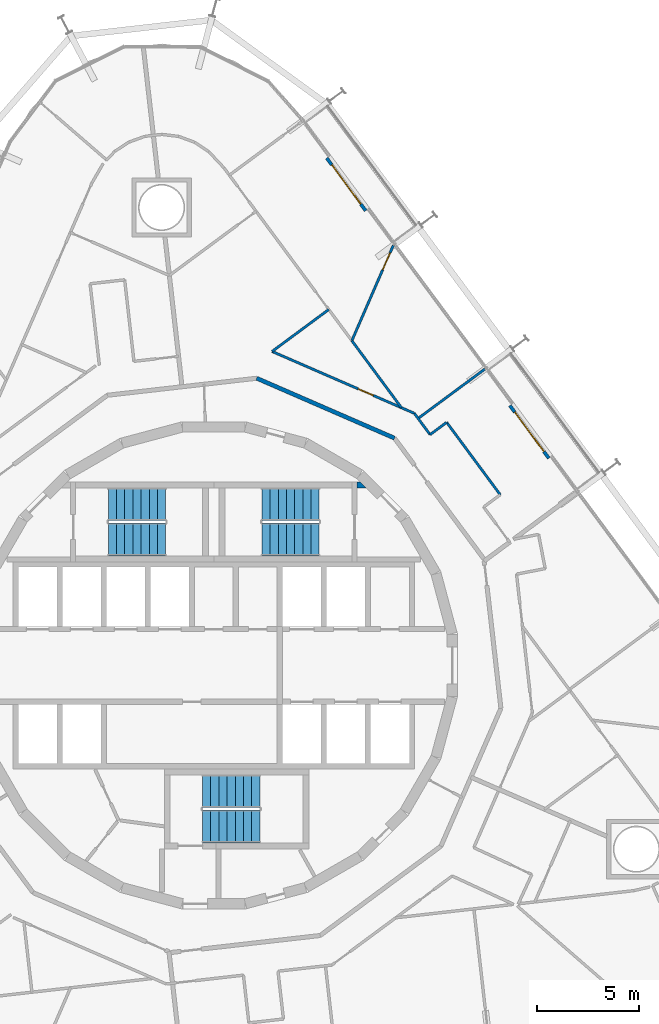
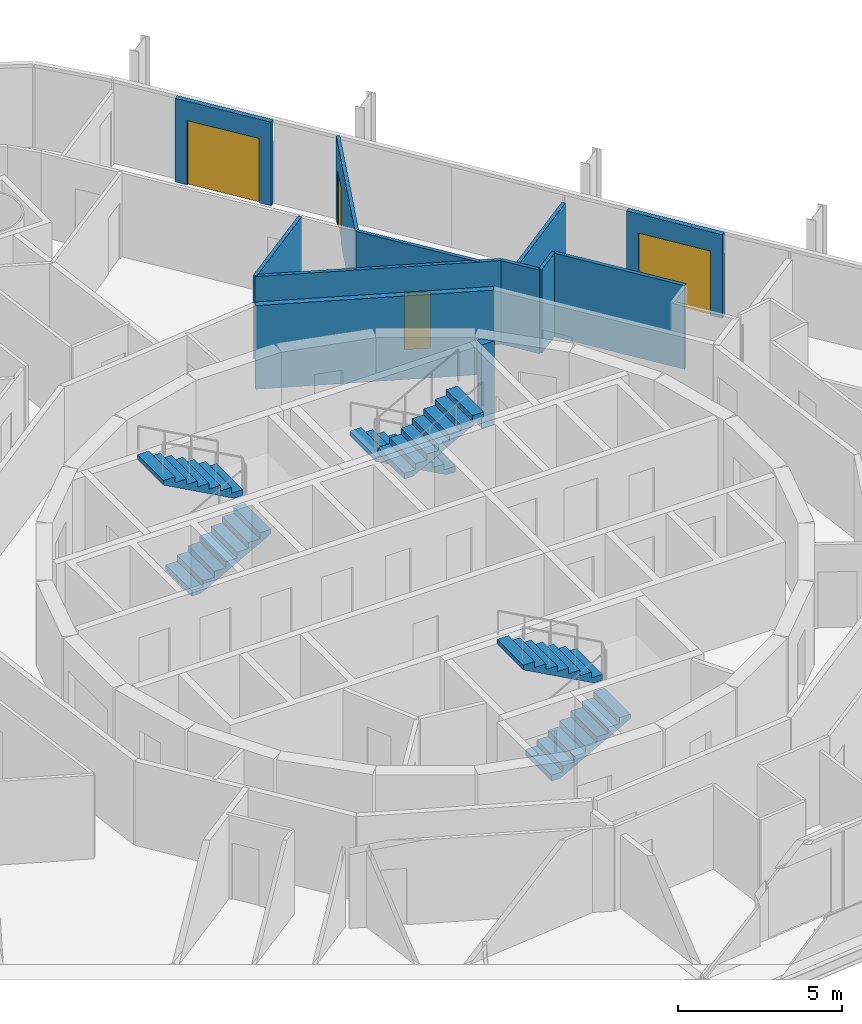
# One storey, part 22 of 24: 12 walls, 6 stair flights, 4 doors, 4 openings, 3 elements without a shape of their own.
"""IFC4 building model written with IfcOpenShell, lengths in metres."""

from ifc_helpers import new_model, si_unit, direction, frame, frame_2d, origin, place, context, subcontext, project, spatial, polyline, rectangle, outline, extrude, material, layer, layer_set, type_object, element, fill, aggregate, save


model = new_model("IFC4")

# Units and contexts
model_context = context("Model", 3, precision=1e-05, world=origin(), true_north=direction((0.0, 1.0)))
body_context = subcontext(model_context, "Body", "Model", "MODEL_VIEW")
ifc_project = project(units=[si_unit("LENGTHUNIT", "METRE"), si_unit("AREAUNIT", "SQUARE_METRE"), si_unit("VOLUMEUNIT", "CUBIC_METRE"), si_unit("PLANEANGLEUNIT", "RADIAN"), si_unit("MASSUNIT", "GRAM", prefix="KILO")], contexts=[model_context])

# Site, building, storey
site_placement = place(None, origin())
site = spatial("IfcSite", under=ifc_project, at=site_placement, CompositionType="ELEMENT")
building_placement = place(site_placement, origin())
building = spatial("IfcBuilding", under=site, at=building_placement, Name="Spindle Arch Residences", CompositionType="ELEMENT")
storey_placement = place(building_placement, frame((0.0, 0.0, 94.199951171875)))
storey = spatial("IfcBuildingStorey", under=building, at=storey_placement, Name="L22", CompositionType="ELEMENT", Elevation=94.199951171875)

# Walls
ifc_material_1 = material(Name="Calcium silicate block, plastered")
ifc_layer_1 = layer(ifc_material_1, 0.199951171875)
ifc_layer_set_1 = layer_set([ifc_layer_1], Name="Corridor wall 200")
wall_type_1 = type_object("IfcWallType", Name="Corridor wall 200", PredefinedType="STANDARD", material=ifc_layer_set_1)
wall_1_placement = place(storey_placement, frame((8.829345703125, 11.10009765625, 0.0), z_axis=(0.0, 0.0, 1.0), x_axis=(-0.917063183388, 0.398741918631, 0.0)))
element("IfcWall", 1, at=wall_1_placement, inside=storey, type_object=wall_type_1, Name="Corridor wall R2B1-W005", PredefinedType="STANDARD", context=body_context, shape_type="SweptSolid", body=[
    extrude(rectangle(XDim=7.341796875, YDim=0.199951171875, at=frame_2d((3.6708984375, 0.0))), origin(), (0.0, 0.0, 1.0), 3.1201171875),
])
ifc_material_2 = material(Name="Plasterboard on steel studs", Category="steel")
ifc_layer_2 = layer(ifc_material_2, 0.1201171875)
ifc_layer_set_2 = layer_set([ifc_layer_2], Name="Flat partition 120")
wall_type_2 = type_object("IfcWallType", Name="Flat partition 120", PredefinedType="PARTITIONING", material=ifc_layer_set_2)
wall_2_placement = place(storey_placement, frame((13.9951171875, 8.335693359375, 0.0), z_axis=(0.0, 0.0, 1.0), x_axis=(-0.59480284986, 0.803871612758, 0.0)))
element("IfcWall", 2, at=wall_2_placement, inside=storey, type_object=wall_type_2, Name="Flat partition R2B1-W030", PredefinedType="PARTITIONING", context=body_context, shape_type="SweptSolid", body=[
    extrude(rectangle(XDim=4.400146484375, YDim=0.1201171875, at=frame_2d((2.2001953125, 0.0))), origin(), (0.0, 0.0, 1.0), 3.1201171875),
])
wall_3_placement = place(storey_placement, frame((11.3779296875, 11.872802734375, 0.0), z_axis=(0.0, 0.0, 1.0), x_axis=(-0.803818744753, -0.594874293934, 0.0)))
element("IfcWall", 3, at=wall_3_placement, inside=storey, type_object=wall_type_2, Name="Flat partition R2B1-W031", PredefinedType="PARTITIONING", context=body_context, shape_type="SweptSolid", body=[
    extrude(rectangle(XDim=1.00830078125, YDim=0.1201171875, at=frame_2d((0.504150390625, 0.0))), origin(), (0.0, 0.0, 1.0), 3.1201171875),
])
wall_4_placement = place(storey_placement, frame((10.5673828125, 11.27294921875, 0.0), z_axis=(0.0, 0.0, 1.0), x_axis=(-0.594957357743, 0.803757265888, 0.0)))
element("IfcWall", 4, at=wall_4_placement, inside=storey, type_object=wall_type_2, Name="Flat partition R2B1-W032", PredefinedType="PARTITIONING", context=body_context, shape_type="SweptSolid", body=[
    extrude(rectangle(XDim=1.296630859375, YDim=0.1201171875, at=frame_2d((0.6484375, 0.0))), origin(), (0.0, 0.0, 1.0), 3.1201171875),
])

# Wall, opening, door
wall_5_placement = place(storey_placement, frame((9.7958984375, 12.315185546875, 0.0), z_axis=(0.0, 0.0, 1.0), x_axis=(-0.917053660722, 0.398763819017, 0.0)))
wall_5 = element("IfcWall", 5, at=wall_5_placement, inside=storey, type_object=wall_type_2, Name="Flat partition R2B1-W033", PredefinedType="PARTITIONING", context=body_context, shape_type="SweptSolid", body=[
    extrude(rectangle(XDim=7.575927734375, YDim=0.1201171875, at=frame_2d((3.7880859375, 0.0))), origin(), (0.0, 0.0, 1.0), 3.1201171875),
])
opening_1_placement = place(wall_5_placement, frame((2.184814453125, 0.0, 0.0)))
opening_1 = element("IfcOpeningElement", 6, at=opening_1_placement, cuts=wall_5, Name="Opening R2B1-BD01", PredefinedType="OPENING", context=body_context, shape_type="SweptSolid", body=[
    extrude(rectangle(XDim=0.800048828125, YDim=2.10009765625, at=frame_2d((0.39990234375, 1.050048828125))), frame((0.0, 0.070068359375, 0.0), z_axis=(0.0, -1.0, 0.0), x_axis=(1.0, 0.0, 0.0)), (0.0, 0.0, 1.0), 0.14013671875),
])
ifc_material_3 = material(Name="Timber door set", Category="wood")
door_type_1 = type_object("IfcDoorType", Name="Bathroom door 800x2100", OperationType="NOTDEFINED", PredefinedType="DOOR", material=ifc_material_3)
door_1_placement = place(opening_1_placement, origin())
door_1 = element("IfcDoor", 7, at=door_1_placement, inside=storey, type_object=door_type_1, Name="Bathroom door R2B1-BD01", OperationType="SINGLE_SWING_RIGHT", OverallHeight=2.10009765625, OverallWidth=0.800048828125, PredefinedType="DOOR", context=body_context, shape_type="SweptSolid", body=[
    extrude(rectangle(XDim=0.800048828125, YDim=2.10009765625, at=frame_2d((0.39990234375, 1.050048828125))), frame((0.0, 0.02490234375, 0.0), z_axis=(0.0, -1.0, 0.0), x_axis=(1.0, 0.0, 0.0)), (0.0, 0.0, 1.0), 0.050048828125),
])
fill(opening_1, door_1)

# Walls
wall_6_placement = place(storey_placement, frame((2.848388671875, 15.336181640625, 0.0), z_axis=(0.0, 0.0, 1.0), x_axis=(0.803852063114, 0.59482927015, 0.0)))
element("IfcWall", 8, at=wall_6_placement, inside=storey, type_object=wall_type_2, Name="Flat partition R2B1-W034", PredefinedType="PARTITIONING", context=body_context, shape_type="SweptSolid", body=[
    extrude(rectangle(XDim=3.445556640625, YDim=0.1201171875, at=frame_2d((1.72265625, 0.0))), origin(), (0.0, 0.0, 1.0), 3.1201171875),
])
wall_7_placement = place(storey_placement, frame((6.745849609375, 15.861572265625, 0.0), z_axis=(0.0, 0.0, 1.0), x_axis=(0.594836031811, -0.80384705962, 0.0)))
element("IfcWall", 9, at=wall_7_placement, inside=storey, type_object=wall_type_2, Name="Flat partition R2B1-W038", PredefinedType="PARTITIONING", context=body_context, shape_type="SweptSolid", body=[
    extrude(rectangle(XDim=4.072021484375, YDim=0.1201171875, at=frame_2d((2.0361328125, 0.0))), origin(), (0.0, 0.0, 1.0), 3.1201171875),
])

# Wall, opening, door
wall_8_placement = place(storey_placement, frame((8.771728515625, 20.52099609375, 0.0), z_axis=(0.0, 0.0, 1.0), x_axis=(-0.398733139635, -0.917067000473, 0.0)))
wall_8 = element("IfcWall", 10, at=wall_8_placement, inside=storey, type_object=wall_type_2, Name="Flat partition R2B1-W039", PredefinedType="PARTITIONING", context=body_context, shape_type="SweptSolid", body=[
    extrude(rectangle(XDim=5.080810546875, YDim=0.1201171875, at=frame_2d((2.54052734375, 0.0))), origin(), (0.0, 0.0, 1.0), 3.1201171875),
])
opening_2_placement = place(wall_8_placement, frame((0.39990234375, 0.0, 0.0)))
opening_2 = element("IfcOpeningElement", 11, at=opening_2_placement, cuts=wall_8, Name="Opening R2B1-ID04", PredefinedType="OPENING", context=body_context, shape_type="SweptSolid", body=[
    extrude(rectangle(XDim=0.89990234375, YDim=2.10009765625, at=frame_2d((0.449951171875, 1.050048828125))), frame((0.0, 0.070068359375, 0.0), z_axis=(0.0, -1.0, 0.0), x_axis=(1.0, 0.0, 0.0)), (0.0, 0.0, 1.0), 0.14013671875),
])
ifc_material_4 = material(Name="Timber door set", Category="wood")
door_type_2 = type_object("IfcDoorType", Name="Room door 900x2100", OperationType="NOTDEFINED", PredefinedType="DOOR", material=ifc_material_4)
door_2_placement = place(opening_2_placement, origin())
door_2 = element("IfcDoor", 12, at=door_2_placement, inside=storey, type_object=door_type_2, Name="Room door R2B1-ID04", OperationType="SINGLE_SWING_LEFT", OverallHeight=2.10009765625, OverallWidth=0.89990234375, PredefinedType="DOOR", context=body_context, shape_type="SweptSolid", body=[
    extrude(rectangle(XDim=0.89990234375, YDim=2.10009765625, at=frame_2d((0.449951171875, 1.050048828125))), frame((0.0, 0.02490234375, 0.0), z_axis=(0.0, -1.0, 0.0), x_axis=(1.0, 0.0, 0.0)), (0.0, 0.0, 1.0), 0.050048828125),
])
fill(opening_2, door_2)

# Wall
ifc_material_5 = material(Name="Plasterboard on steel studs", Category="steel")
ifc_layer_3 = layer(ifc_material_5, 0.1201171875)
ifc_layer_set_3 = layer_set([ifc_layer_3], Name="Flat partition 120 under beam 2730")
wall_type_3 = type_object("IfcWallType", Name="Flat partition 120 under beam 2730", PredefinedType="PARTITIONING", material=ifc_layer_set_3)
wall_9_placement = place(storey_placement, frame((13.244140625, 14.476806640625, 0.0), z_axis=(0.0, 0.0, 1.0), x_axis=(-0.803853407146, -0.594827453821, 0.0)))
element("IfcWall", 13, at=wall_9_placement, inside=storey, type_object=wall_type_3, Name="Flat partition R2B1-W037", PredefinedType="PARTITIONING", context=body_context, shape_type="SweptSolid", body=[
    extrude(rectangle(XDim=4.0576171875, YDim=0.1201171875, at=frame_2d((2.02880859375, 0.0))), origin(), (0.0, 0.0, 1.0), 2.72998046875),
])

# Wall, opening, door
ifc_material_6 = material(Name="Non-combustible mineral wool insulated aluminium faced external wall (K0)", Category="aluminium")
ifc_layer_4 = layer(ifc_material_6, 0.159912109375)
ifc_layer_set_4 = layer_set([ifc_layer_4], Name="Insulated external wall panel 160")
wall_type_4 = type_object("IfcWallType", Name="Insulated external wall panel 160", PredefinedType="STANDARD", material=ifc_layer_set_4)
wall_10_placement = place(storey_placement, frame((16.36767578125, 10.12109375, 0.0), z_axis=(0.0, 0.0, 1.0), x_axis=(-0.594811452818, 0.803865247163, 0.0)))
wall_10 = element("IfcWall", 14, at=wall_10_placement, inside=storey, type_object=wall_type_4, Name="External wall L22 bay 8", PredefinedType="STANDARD", context=body_context, shape_type="SweptSolid", body=[
    extrude(rectangle(XDim=3.199951171875, YDim=0.159912109375, at=frame_2d((1.60009765625, 0.0))), origin(), (0.0, 0.0, 1.0), 3.1201171875),
])
opening_3_placement = place(wall_10_placement, frame((0.39990234375, 0.0, 0.0)))
opening_3 = element("IfcOpeningElement", 15, at=opening_3_placement, cuts=wall_10, Name="Opening BD08", PredefinedType="OPENING", context=body_context, shape_type="SweptSolid", body=[
    extrude(rectangle(XDim=2.39990234375, YDim=2.39990234375, at=frame_2d((1.199951171875, 1.199951171875))), frame((0.0, 0.08984375, 0.0), z_axis=(0.0, -1.0, 0.0), x_axis=(1.0, 0.0, 0.0)), (0.0, 0.0, 1.0), 0.179931640625),
])
ifc_material_7 = material(Name="Bronze aluminium frame, tinted double glazing", Category="aluminium")
door_type_3 = type_object("IfcDoorType", Name="Sliding glazed balcony door 2400x2400", OperationType="DOUBLE_DOOR_SLIDING", PredefinedType="DOOR", material=ifc_material_7)
door_3_placement = place(opening_3_placement, origin())
door_3 = element("IfcDoor", 16, at=door_3_placement, inside=storey, type_object=door_type_3, Name="Balcony door BD08", OperationType="DOUBLE_DOOR_SLIDING", OverallHeight=2.39990234375, OverallWidth=2.39990234375, PredefinedType="DOOR", context=body_context, shape_type="SweptSolid", body=[
    extrude(rectangle(XDim=2.39990234375, YDim=2.39990234375, at=frame_2d((1.199951171875, 1.199951171875))), frame((0.0, 0.02490234375, 0.0), z_axis=(0.0, -1.0, 0.0), x_axis=(1.0, 0.0, 0.0)), (0.0, 0.0, 1.0), 0.050048828125),
])
fill(opening_3, door_3)

wall_11_placement = place(storey_placement, frame((7.4228515625, 22.209228515625, 0.0), z_axis=(0.0, 0.0, 1.0), x_axis=(-0.594811452818, 0.803865247163, 0.0)))
wall_11 = element("IfcWall", 17, at=wall_11_placement, inside=storey, type_object=wall_type_4, Name="External wall L22 bay 10", PredefinedType="STANDARD", context=body_context, shape_type="SweptSolid", body=[
    extrude(rectangle(XDim=3.199951171875, YDim=0.159912109375, at=frame_2d((1.60009765625, 0.0))), origin(), (0.0, 0.0, 1.0), 3.1201171875),
])
opening_4_placement = place(wall_11_placement, frame((0.39990234375, 0.0, 0.0)))
opening_4 = element("IfcOpeningElement", 18, at=opening_4_placement, cuts=wall_11, Name="Opening BD10", PredefinedType="OPENING", context=body_context, shape_type="SweptSolid", body=[
    extrude(rectangle(XDim=2.39990234375, YDim=2.39990234375, at=frame_2d((1.199951171875, 1.199951171875))), frame((0.0, 0.08984375, 0.0), z_axis=(0.0, -1.0, 0.0), x_axis=(1.0, 0.0, 0.0)), (0.0, 0.0, 1.0), 0.179931640625),
])
door_4_placement = place(opening_4_placement, origin())
door_4 = element("IfcDoor", 19, at=door_4_placement, inside=storey, type_object=door_type_3, Name="Balcony door BD10", OperationType="DOUBLE_DOOR_SLIDING", OverallHeight=2.39990234375, OverallWidth=2.39990234375, PredefinedType="DOOR", context=body_context, shape_type="SweptSolid", body=[
    extrude(rectangle(XDim=2.39990234375, YDim=2.39990234375, at=frame_2d((1.199951171875, 1.199951171875))), frame((0.0, 0.02490234375, 0.0), z_axis=(0.0, -1.0, 0.0), x_axis=(1.0, 0.0, 0.0)), (0.0, 0.0, 1.0), 0.050048828125),
])
fill(opening_4, door_4)

# Wall
ifc_material_8 = material(Name="Concrete C40/50", Category="concrete")
wall_type_5 = type_object("IfcWallType", Name="Stair airlock wall profile", PredefinedType="SHEAR", material=ifc_material_8)
wall_12_placement = place(storey_placement, origin())
element("IfcWall", 20, at=wall_12_placement, inside=storey, type_object=wall_type_5, Name="Stair ST-1 airlock wall N", PredefinedType="SHEAR", context=body_context, shape_type="SweptSolid", body=[
    extrude(outline(polyline([(7.4482421875, 8.669921875), (7.0, 8.669921875), (7.0, 8.969970703125), (7.148193359375, 8.969970703125), (7.4482421875, 8.669921875)])), origin(), (0.0, 0.0, 1.0), 3.1201171875),
])

# Stair, stair flights
ifc_material_9 = material(Name="Concrete C50/60", Category="concrete")
stair_type = type_object("IfcStairType", Name="Exit stair 16 risers", PredefinedType="HALF_TURN_STAIR", material=ifc_material_9)
stair_1_placement = place(storey_placement, origin())
stair_1 = element("IfcStair", 21, at=stair_1_placement, inside=storey, type_object=stair_type, Name="L22 Exit stair ST1", PredefinedType="HALF_TURN_STAIR")
ifc_material_10 = material(Name="Concrete C50/60", Category="concrete")
stair_flight_type = type_object("IfcStairFlightType", Name="Exit stair flight", PredefinedType="STRAIGHT", material=ifc_material_10)
stair_flight_1_placement = place(storey_placement, frame((5.14990234375, 7.8701171875, 0.0), z_axis=(0.0, 0.0, 1.0), x_axis=(-1.0, 0.0, 0.0)))
stair_flight_1 = element("IfcStairFlight", 22, at=stair_flight_1_placement, type_object=stair_flight_type, Name="ST1 flight 1", NumberOfRisers=8, NumberOfTreads=7, PredefinedType="STRAIGHT", RiserHeight=0.21875, TreadLength=0.4, context=body_context, shape_type="SweptSolid", body=[
    extrude(outline(polyline([(0.0, 0.0), (0.0, 0.21875), (0.39990234375, 0.21875), (0.39990234375, 0.4375), (0.800048828125, 0.4375), (0.800048828125, 0.65625), (1.199951171875, 0.65625), (1.199951171875, 0.875), (1.60009765625, 0.875), (1.60009765625, 1.09375), (2.0, 1.09375), (2.0, 1.3125), (2.39990234375, 1.3125), (2.39990234375, 1.53125), (2.800048828125, 1.53125), (2.800048828125, 1.75), (2.800048828125, 1.3603515625), (0.3125, 0.0), (0.0, 0.0)])), frame((0.0, 0.800048828125, 0.0), z_axis=(0.0, -1.0, 0.0), x_axis=(1.0, 0.0, 0.0)), (0.0, 0.0, 1.0), 1.60009765625),
])
stair_flight_2_placement = place(storey_placement, frame((2.35009765625, 6.14990234375, 1.75), z_axis=(0.0, 0.0, 1.0), x_axis=(1.0, 0.0, 0.0)))
stair_flight_2 = element("IfcStairFlight", 23, at=stair_flight_2_placement, type_object=stair_flight_type, Name="ST1 flight 2", NumberOfRisers=8, NumberOfTreads=7, PredefinedType="STRAIGHT", RiserHeight=0.21875, TreadLength=0.4, context=body_context, shape_type="SweptSolid", body=[
    extrude(outline(polyline([(0.0, 0.0), (0.0, 0.21875), (0.39990234375, 0.21875), (0.39990234375, 0.4375), (0.800048828125, 0.4375), (0.800048828125, 0.65625), (1.199951171875, 0.65625), (1.199951171875, 0.875), (1.60009765625, 0.875), (1.60009765625, 1.09375), (2.0, 1.09375), (2.0, 1.3125), (2.39990234375, 1.3125), (2.39990234375, 1.53125), (2.800048828125, 1.53125), (2.800048828125, 1.75), (2.800048828125, 1.3603515625), (0.3125, 0.0), (0.0, 0.0)])), frame((0.0, 0.800048828125, 0.0), z_axis=(0.0, -1.0, 0.0), x_axis=(1.0, 0.0, 0.0)), (0.0, 0.0, 1.0), 1.60009765625),
])
aggregate(stair_1, [stair_flight_1, stair_flight_2])

stair_2_placement = place(storey_placement, origin())
stair_2 = element("IfcStair", 24, at=stair_2_placement, inside=storey, type_object=stair_type, Name="L22 Exit stair ST2", PredefinedType="HALF_TURN_STAIR")
stair_flight_3_placement = place(storey_placement, frame((-5.14990234375, 6.14990234375, 0.0), z_axis=(0.0, 0.0, 1.0), x_axis=(1.0, 0.0, 0.0)))
stair_flight_3 = element("IfcStairFlight", 25, at=stair_flight_3_placement, type_object=stair_flight_type, Name="ST2 flight 1", NumberOfRisers=8, NumberOfTreads=7, PredefinedType="STRAIGHT", RiserHeight=0.21875, TreadLength=0.4, context=body_context, shape_type="SweptSolid", body=[
    extrude(outline(polyline([(0.0, 0.0), (0.0, 0.21875), (0.39990234375, 0.21875), (0.39990234375, 0.4375), (0.800048828125, 0.4375), (0.800048828125, 0.65625), (1.199951171875, 0.65625), (1.199951171875, 0.875), (1.60009765625, 0.875), (1.60009765625, 1.09375), (2.0, 1.09375), (2.0, 1.3125), (2.39990234375, 1.3125), (2.39990234375, 1.53125), (2.800048828125, 1.53125), (2.800048828125, 1.75), (2.800048828125, 1.3603515625), (0.3125, 0.0), (0.0, 0.0)])), frame((0.0, 0.800048828125, 0.0), z_axis=(0.0, -1.0, 0.0), x_axis=(1.0, 0.0, 0.0)), (0.0, 0.0, 1.0), 1.60009765625),
])
stair_flight_4_placement = place(storey_placement, frame((-2.35009765625, 7.8701171875, 1.75), z_axis=(0.0, 0.0, 1.0), x_axis=(-1.0, 0.0, 0.0)))
stair_flight_4 = element("IfcStairFlight", 26, at=stair_flight_4_placement, type_object=stair_flight_type, Name="ST2 flight 2", NumberOfRisers=8, NumberOfTreads=7, PredefinedType="STRAIGHT", RiserHeight=0.21875, TreadLength=0.4, context=body_context, shape_type="SweptSolid", body=[
    extrude(outline(polyline([(0.0, 0.0), (0.0, 0.21875), (0.39990234375, 0.21875), (0.39990234375, 0.4375), (0.800048828125, 0.4375), (0.800048828125, 0.65625), (1.199951171875, 0.65625), (1.199951171875, 0.875), (1.60009765625, 0.875), (1.60009765625, 1.09375), (2.0, 1.09375), (2.0, 1.3125), (2.39990234375, 1.3125), (2.39990234375, 1.53125), (2.800048828125, 1.53125), (2.800048828125, 1.75), (2.800048828125, 1.3603515625), (0.3125, 0.0), (0.0, 0.0)])), frame((0.0, 0.800048828125, 0.0), z_axis=(0.0, -1.0, 0.0), x_axis=(1.0, 0.0, 0.0)), (0.0, 0.0, 1.0), 1.60009765625),
])
aggregate(stair_2, [stair_flight_3, stair_flight_4])

stair_3_placement = place(storey_placement, origin())
stair_3 = element("IfcStair", 27, at=stair_3_placement, inside=storey, type_object=stair_type, Name="L22 Exit stair ST3", PredefinedType="HALF_TURN_STAIR")
stair_flight_5_placement = place(storey_placement, frame((-0.550048828125, -7.8701171875, 0.0), z_axis=(0.0, 0.0, 1.0), x_axis=(1.0, 0.0, 0.0)))
stair_flight_5 = element("IfcStairFlight", 28, at=stair_flight_5_placement, type_object=stair_flight_type, Name="ST3 flight 1", NumberOfRisers=8, NumberOfTreads=7, PredefinedType="STRAIGHT", RiserHeight=0.21875, TreadLength=0.4, context=body_context, shape_type="SweptSolid", body=[
    extrude(outline(polyline([(0.0, 0.0), (0.0, 0.21875), (0.39990234375, 0.21875), (0.39990234375, 0.4375), (0.800048828125, 0.4375), (0.800048828125, 0.65625), (1.199951171875, 0.65625), (1.199951171875, 0.875), (1.60009765625, 0.875), (1.60009765625, 1.09375), (2.0, 1.09375), (2.0, 1.3125), (2.39990234375, 1.3125), (2.39990234375, 1.53125), (2.800048828125, 1.53125), (2.800048828125, 1.75), (2.800048828125, 1.3603515625), (0.3125, 0.0), (0.0, 0.0)])), frame((0.0, 0.800048828125, 0.0), z_axis=(0.0, -1.0, 0.0), x_axis=(1.0, 0.0, 0.0)), (0.0, 0.0, 1.0), 1.60009765625),
])
stair_flight_6_placement = place(storey_placement, frame((2.25, -6.14990234375, 1.75), z_axis=(0.0, 0.0, 1.0), x_axis=(-1.0, 0.0, 0.0)))
stair_flight_6 = element("IfcStairFlight", 29, at=stair_flight_6_placement, type_object=stair_flight_type, Name="ST3 flight 2", NumberOfRisers=8, NumberOfTreads=7, PredefinedType="STRAIGHT", RiserHeight=0.21875, TreadLength=0.4, context=body_context, shape_type="SweptSolid", body=[
    extrude(outline(polyline([(0.0, 0.0), (0.0, 0.21875), (0.39990234375, 0.21875), (0.39990234375, 0.4375), (0.800048828125, 0.4375), (0.800048828125, 0.65625), (1.199951171875, 0.65625), (1.199951171875, 0.875), (1.60009765625, 0.875), (1.60009765625, 1.09375), (2.0, 1.09375), (2.0, 1.3125), (2.39990234375, 1.3125), (2.39990234375, 1.53125), (2.800048828125, 1.53125), (2.800048828125, 1.75), (2.800048828125, 1.3603515625), (0.3125, 0.0), (0.0, 0.0)])), frame((0.0, 0.800048828125, 0.0), z_axis=(0.0, -1.0, 0.0), x_axis=(1.0, 0.0, 0.0)), (0.0, 0.0, 1.0), 1.60009765625),
])
aggregate(stair_3, [stair_flight_5, stair_flight_6])

save(model, "model.ifc")
